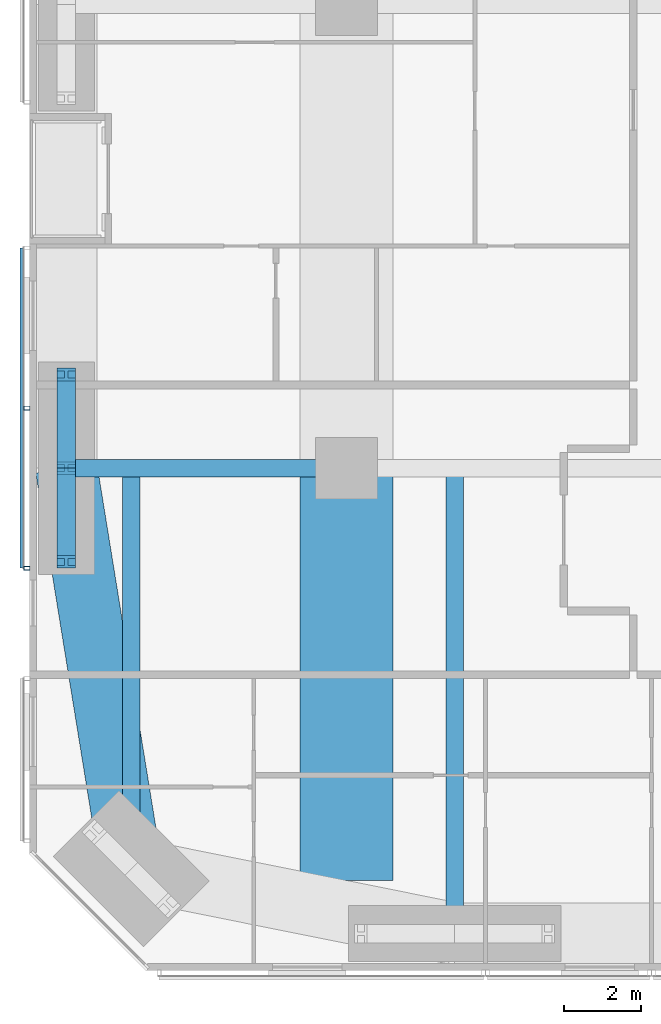
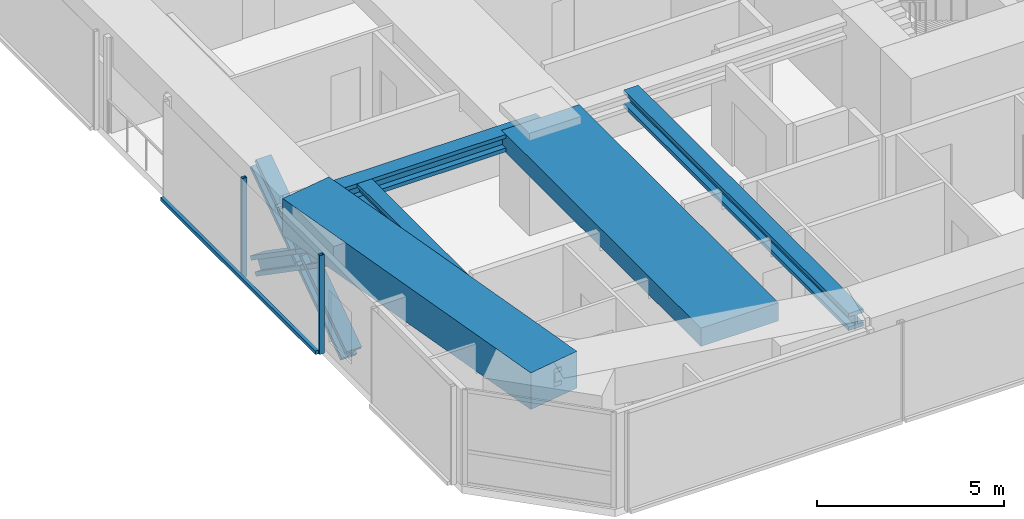
# One storey, part 3 of 24: 7 members, 5 beams, 1 element without a shape of its own.
"""IFC4 building model written with IfcOpenShell, lengths in metres."""

from ifc_helpers import new_model, si_unit, direction, frame, origin, origin_2d, place, context, subcontext, project, spatial, rectangle, hollow_rectangle, i_section, extrude, material, material_profile, profile_set, type_object, element, aggregate, save


model = new_model("IFC4")

# Units and contexts
model_context = context("Model", 3, precision=1e-05, world=origin(), true_north=direction((0.0, 1.0)))
body_context = subcontext(model_context, "Body", "Model", "MODEL_VIEW")
ifc_project = project(units=[si_unit("LENGTHUNIT", "METRE"), si_unit("AREAUNIT", "SQUARE_METRE"), si_unit("VOLUMEUNIT", "CUBIC_METRE"), si_unit("PLANEANGLEUNIT", "RADIAN"), si_unit("MASSUNIT", "GRAM", prefix="KILO")], contexts=[model_context])

# Site, building, storey
site_placement = place(None, origin())
site = spatial("IfcSite", under=ifc_project, at=site_placement, CompositionType="ELEMENT")
building_placement = place(site_placement, origin())
building = spatial("IfcBuilding", under=site, at=building_placement, Name="Jalousie Tower", CompositionType="ELEMENT")
storey_placement = place(building_placement, frame((0.0, 0.0, 47.800048828125)))
storey = spatial("IfcBuildingStorey", under=building, at=storey_placement, Name="L12", CompositionType="ELEMENT", Elevation=47.800048828125)

# Beams
ifc_material_1 = material(Name="Steel ASTM A992 Grade 50", Category="steel")
ifc_material_profile_1 = material_profile(ifc_material_1, i_section(OverallWidth=0.45458984375, OverallDepth=0.569091796875, WebThickness=0.077880859375, FlangeThickness=0.124755859375, at=origin_2d()), Name="W14X730")
ifc_profile_set_1 = profile_set([ifc_material_profile_1], Name="Steel ASTM A992 Grade 50")
beam_type_1 = type_object("IfcBeamType", Name="LEAN COLLECTOR W14X730", PredefinedType="BEAM", material=ifc_profile_set_1)
beam_1_placement = place(storey_placement, frame((2.949951171875, 13.0, 2.825439453125), z_axis=(1.0, 0.0, 0.0), x_axis=(0.0, 1.0, 0.0)))
element("IfcBeam", 1, at=beam_1_placement, inside=storey, type_object=beam_type_1, Name="Lean collector under L13", PredefinedType="BEAM", context=body_context, shape_type="SweptSolid", body=[
    extrude(i_section(OverallWidth=0.45458984375, OverallDepth=0.569091796875, WebThickness=0.077880859375, FlangeThickness=0.124755859375, at=origin_2d()), origin(), (0.0, 0.0, 1.0), 7.25),
])
beam_2_placement = place(storey_placement, frame((4.63134765625, 2.63134765625, 2.825439453125), z_axis=(0.0, 1.0, 0.0), x_axis=(-1.0, 0.0, 0.0)))
element("IfcBeam", 2, at=beam_2_placement, inside=storey, type_object=beam_type_1, Name="Lean collector under L13", PredefinedType="BEAM", context=body_context, shape_type="SweptSolid", body=[
    extrude(i_section(OverallWidth=0.45458984375, OverallDepth=0.569091796875, WebThickness=0.077880859375, FlangeThickness=0.124755859375, at=origin_2d()), origin(), (0.0, 0.0, 1.0), 10.36865234375),
])
beam_3_placement = place(storey_placement, frame((13.0, 0.949951171875, 2.825439453125), z_axis=(0.0, 1.0, 0.0), x_axis=(-1.0, 0.0, 0.0)))
element("IfcBeam", 3, at=beam_3_placement, inside=storey, type_object=beam_type_1, Name="Lean collector under L13", PredefinedType="BEAM", context=body_context, shape_type="SweptSolid", body=[
    extrude(i_section(OverallWidth=0.45458984375, OverallDepth=0.569091796875, WebThickness=0.077880859375, FlangeThickness=0.124755859375, at=origin_2d()), origin(), (0.0, 0.0, 1.0), 12.050048828125),
])

# Members
ifc_material_2 = material(Name="Steel ASTM A992 Grade 50", Category="steel")
ifc_material_profile_2 = material_profile(ifc_material_2, i_section(OverallWidth=0.472412109375, OverallDepth=0.5791015625, WebThickness=0.094970703125, FlangeThickness=0.1298828125, at=origin_2d()), Name="W14X808")
ifc_profile_set_2 = profile_set([ifc_material_profile_2], Name="Steel ASTM A992 Grade 50")
member_type_1 = type_object("IfcMemberType", Name="PERIMETER BRACE W14X808", PredefinedType="BRACE", material=ifc_profile_set_2)
for number, where, z_axis, x_axis, name in (
    (4, (2.949951171875, 10.574951171875, -0.60009765625), (0.0, 0.822800062329, 0.568330940062), (-1.0, 0.0, 0.0), "Perimeter brace 14 L12 part 1"),
    (5, (2.949951171875, 13.0, 1.074951171875), (0.0, 0.822800062329, 0.568330940062), (-1.0, 0.0, 0.0), "Perimeter brace 14 L12 part 2"),
    (6, (2.949951171875, 15.425048828125, -0.60009765625), (0.0, -0.822800062329, 0.568330940062), (1.0, 0.0, 0.0), "Perimeter brace 14 L12 part 3"),
    (7, (2.949951171875, 13.0, 1.074951171875), (0.0, -0.822800062329, 0.568330940062), (1.0, 0.0, 0.0), "Perimeter brace 14 L12 part 4"),
):
    element("IfcMember", number, at=place(storey_placement, frame(where, z_axis=z_axis, x_axis=x_axis)), inside=storey, type_object=member_type_1, Name=name, PredefinedType="BRACE", context=body_context, shape_type="SweptSolid", body=[
        extrude(i_section(OverallWidth=0.472412109375, OverallDepth=0.5791015625, WebThickness=0.094970703125, FlangeThickness=0.1298828125, at=origin_2d()), origin(), (0.0, 0.0, 1.0), 2.947265625),
    ])

# Beams
ifc_material_3 = material(Name="Concrete f'c 40 MPa", Category="concrete")
ifc_material_profile_3 = material_profile(ifc_material_3, rectangle(XDim=1.60009765625, YDim=1.199951171875, at=origin_2d()), Name="RC 1600x1200")
ifc_profile_set_3 = profile_set([ifc_material_profile_3], Name="Concrete f'c 40 MPa")
beam_type_2 = type_object("IfcBeamType", Name="RC BEAM 1600x1200", PredefinedType="BEAM", material=ifc_profile_set_3)
beam_4_placement = place(storey_placement, frame((2.949951171875, 13.0, 2.75), z_axis=(0.160070546476, -0.987105577003, 0.0), x_axis=(0.987105577003, 0.160070546476, 0.0)))
element("IfcBeam", 8, at=beam_4_placement, inside=storey, type_object=beam_type_2, Name="Edge band beam 14-01 under L13", PredefinedType="BEAM", context=body_context, shape_type="SweptSolid", body=[
    extrude(rectangle(XDim=1.60009765625, YDim=1.199951171875, at=origin_2d()), origin(), (0.0, 0.0, 1.0), 10.504150390625),
])
ifc_material_4 = material(Name="Concrete f'c 40 MPa", Category="concrete")
ifc_material_profile_4 = material_profile(ifc_material_4, rectangle(XDim=2.39990234375, YDim=0.60009765625, at=origin_2d()), Name="RC 2400x600")
ifc_profile_set_4 = profile_set([ifc_material_profile_4], Name="Concrete f'c 40 MPa")
beam_type_3 = type_object("IfcBeamType", Name="RC BEAM 2400x600", PredefinedType="BEAM", material=ifc_profile_set_4)
beam_5_placement = place(storey_placement, frame((10.199951171875, 13.0, 2.81005859375), z_axis=(0.0, -1.0, 0.0), x_axis=(1.0, 0.0, 0.0)))
element("IfcBeam", 9, at=beam_5_placement, inside=storey, type_object=beam_type_3, Name="Floor band beam under L13", PredefinedType="BEAM", context=body_context, shape_type="SweptSolid", body=[
    extrude(rectangle(XDim=2.39990234375, YDim=0.60009765625, at=origin_2d()), origin(), (0.0, 0.0, 1.0), 10.67138671875),
])

# Curtain wall, members
ifc_material_5 = material(Name="Perforated aluminium sheet", Category="aluminium")
curtain_wall_type = type_object("IfcCurtainWallType", Name="SOLAR SCREEN SS-1", PredefinedType="USERDEFINED", material=ifc_material_5)
curtain_wall_placement = place(storey_placement, origin())
curtain_wall = element("IfcCurtainWall", 10, at=curtain_wall_placement, inside=storey, type_object=curtain_wall_type, Name="Solar screen L12", ObjectType="SOLAR SCREEN SS-1", PredefinedType="USERDEFINED")
ifc_material_6 = material(Name="Steel ASTM A500 Grade C", Category="steel")
ifc_material_profile_5 = material_profile(ifc_material_6, hollow_rectangle(XDim=0.1015625, YDim=0.15234375, WallThickness=0.00634765625, at=origin_2d()), Name="HSS6X4X1/4")
ifc_profile_set_5 = profile_set([ifc_material_profile_5], Name="Steel ASTM A500 Grade C")
member_type_2 = type_object("IfcMemberType", Name="SOLAR SCREEN SS-1 MULLION", PredefinedType="MULLION", material=ifc_profile_set_5)
member_1_placement = place(storey_placement, frame((1.9287109375, 14.554931640625, -0.1201171875), z_axis=(0.0, 0.0, 1.0), x_axis=(0.0, -1.0, 0.0)))
member_1 = element("IfcMember", 11, at=member_1_placement, type_object=member_type_2, Name="SS1 post 2", PredefinedType="MULLION", context=body_context, shape_type="SweptSolid", body=[
    extrude(hollow_rectangle(XDim=0.1015625, YDim=0.15234375, WallThickness=0.00634765625, at=origin_2d()), origin(), (0.0, 0.0, 1.0), 3.22998046875),
])
member_2_placement = place(storey_placement, frame((1.9287109375, 10.409912109375, -0.1201171875), z_axis=(0.0, 0.0, 1.0), x_axis=(0.0, -1.0, 0.0)))
member_2 = element("IfcMember", 12, at=member_2_placement, type_object=member_type_2, Name="SS1 post 3", PredefinedType="MULLION", context=body_context, shape_type="SweptSolid", body=[
    extrude(hollow_rectangle(XDim=0.1015625, YDim=0.15234375, WallThickness=0.00634765625, at=origin_2d()), origin(), (0.0, 0.0, 1.0), 3.22998046875),
])
ifc_material_7 = material(Name="Extruded aluminium screen rail", Category="aluminium")
ifc_material_profile_6 = material_profile(ifc_material_7, rectangle(XDim=0.1015625, YDim=0.1201171875, at=origin_2d()), Name="RAIL 102x120")
ifc_profile_set_6 = profile_set([ifc_material_profile_6], Name="Extruded aluminium screen rail")
member_type_3 = type_object("IfcMemberType", Name="SOLAR SCREEN SS-1 TRANSOM", PredefinedType="USERDEFINED", material=ifc_profile_set_6)
member_3_placement = place(storey_placement, frame((1.8017578125, 18.699951171875, -0.06005859375), z_axis=(0.0, -1.0, 0.0), x_axis=(1.0, 0.0, 0.0)))
member_3 = element("IfcMember", 13, at=member_3_placement, type_object=member_type_3, Name="SS1 rail", ObjectType="TRANSOM", PredefinedType="USERDEFINED", context=body_context, shape_type="SweptSolid", body=[
    extrude(rectangle(XDim=0.1015625, YDim=0.1201171875, at=origin_2d()), origin(), (0.0, 0.0, 1.0), 8.2900390625),
])
aggregate(curtain_wall, [member_1, member_2, member_3])

save(model, "model.ifc")
